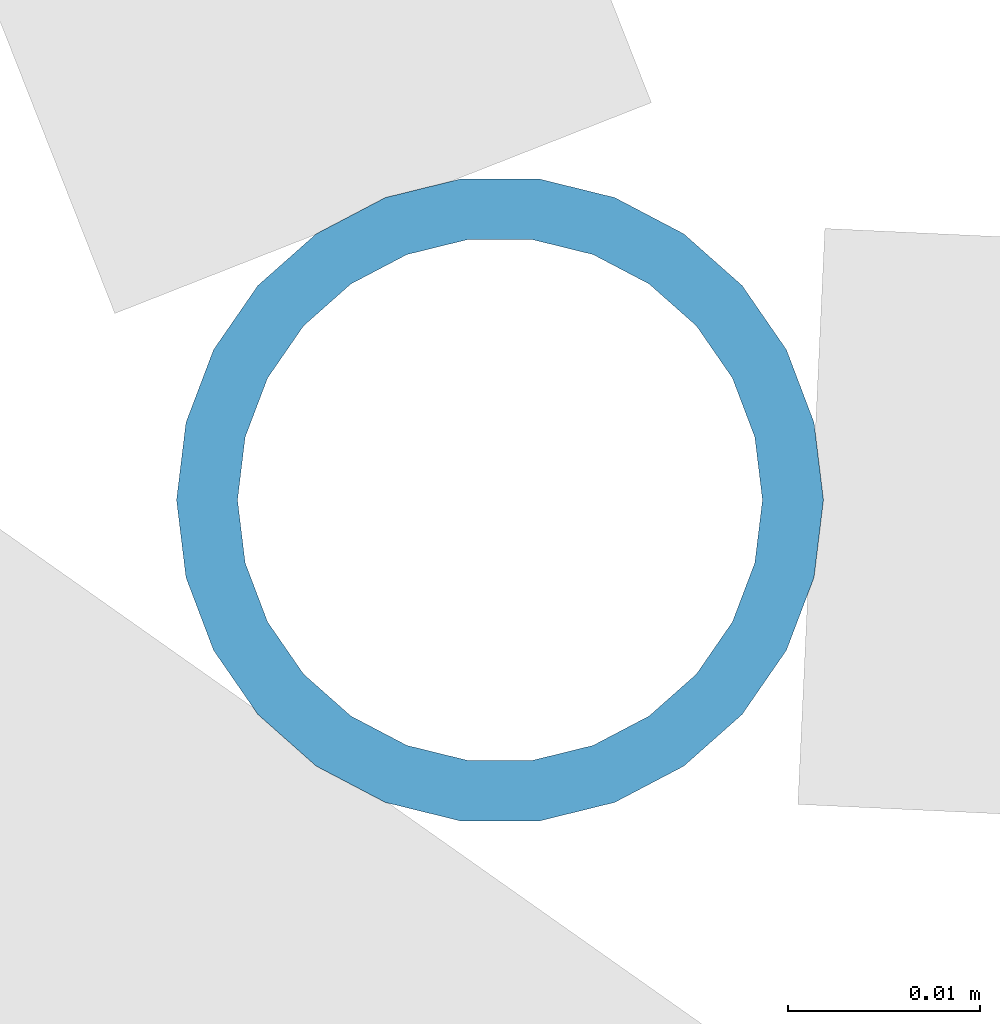
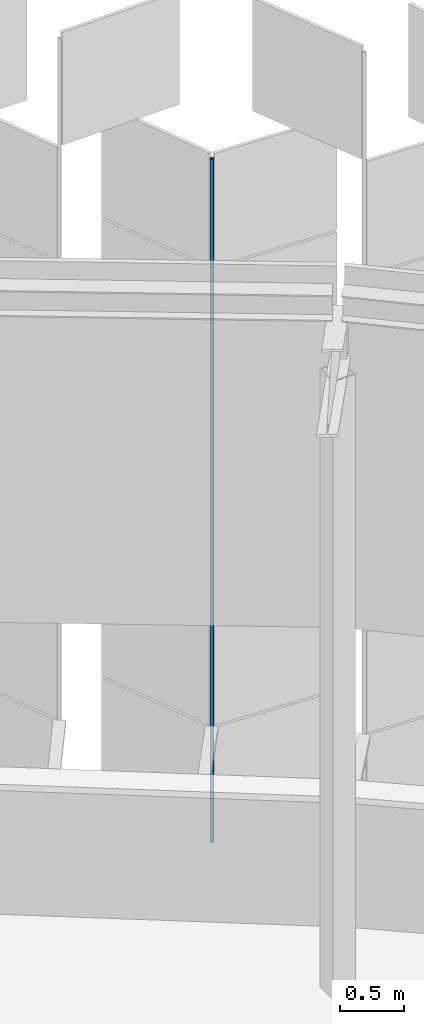
# One storey, part 408 of 483: 1 discrete accessory.
"""IFC4 building model written with IfcOpenShell, lengths in metres."""

from ifc_helpers import new_model, si_unit, direction, frame, origin, origin_2d, place, context, subcontext, project, spatial, hollow_circle, extrude, material, material_profile, profile_set, type_object, element, save


model = new_model("IFC4")

# Units and contexts
model_context = context("Model", 3, precision=1e-05, world=origin(), true_north=direction((0.0, 1.0)))
body_context = subcontext(model_context, "Body", "Model", "MODEL_VIEW")
ifc_project = project(units=[si_unit("LENGTHUNIT", "METRE"), si_unit("AREAUNIT", "SQUARE_METRE"), si_unit("VOLUMEUNIT", "CUBIC_METRE"), si_unit("PLANEANGLEUNIT", "RADIAN"), si_unit("MASSUNIT", "GRAM", prefix="KILO")], contexts=[model_context])

# Site, building, storey
site_placement = place(None, origin())
site = spatial("IfcSite", under=ifc_project, at=site_placement, CompositionType="ELEMENT")
building_placement = place(site_placement, origin())
building = spatial("IfcBuilding", under=site, at=building_placement, Name="Parallax Yard Mobility Hub", CompositionType="ELEMENT")
storey_placement = place(building_placement, frame((0.0, 0.0, 13.199951171875)))
storey = spatial("IfcBuildingStorey", under=building, at=storey_placement, Name="L04", CompositionType="ELEMENT", Elevation=13.199951171875)

# Discrete accessory
ifc_material = material(Name="Steel ASTM A500 Gr C, hot-dip galvanised", Category="steel")
ifc_material_profile = material_profile(ifc_material, hollow_circle(Radius=0.016845703125, WallThickness=0.003173828125, at=origin_2d()), Name="CHS 33.7x3.2")
ifc_profile_set = profile_set([ifc_material_profile], Name="Steel ASTM A500 Gr C, hot-dip galvanised")
discrete_accessory_type = type_object("IfcDiscreteAccessoryType", Name="Hinge post CHS 33.7x3.2", PredefinedType="BRACKET", material=ifc_profile_set)
discrete_accessory_placement = place(storey_placement, frame((202.86865234375, 133.826904296875, 0.0), z_axis=(0.0, 0.0, 1.0), x_axis=(1.0, 0.0, 0.0)))
element("IfcDiscreteAccessory", 1, at=discrete_accessory_placement, inside=storey, type_object=discrete_accessory_type, Name="Hinge post bay 47.2 level L04", PredefinedType="BRACKET", context=body_context, shape_type="SweptSolid", body=[
    extrude(hollow_circle(Radius=0.016845703125, WallThickness=0.003173828125, at=origin_2d()), origin(), (0.0, 0.0, 1.0), 6.550048828125),
])

save(model, "model.ifc")
